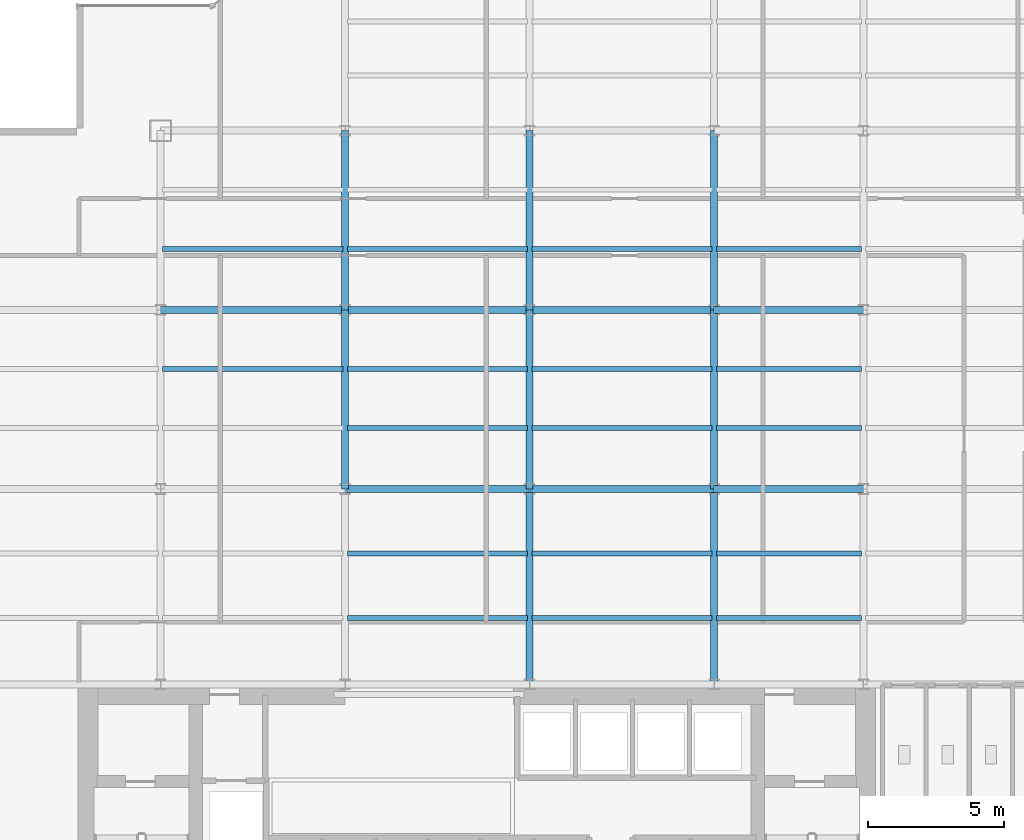
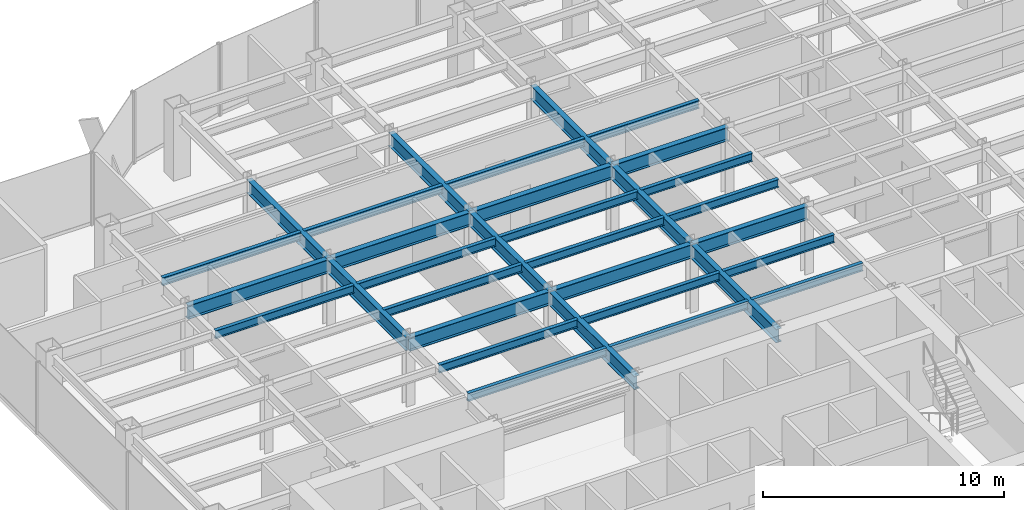
# One storey, part 7 of 26: 32 beams.
"""IFC4 building model written with IfcOpenShell, lengths in metres."""

from ifc_helpers import new_model, si_unit, derived_unit, direction, frame, origin, origin_2d, place, context, subcontext, project, spatial, i_section, extrude, source, transform, mapped, material, material_profile, profile_set, type_object, element, save


model = new_model("IFC4")

# Units and contexts
model_context = context("Model", 3, precision=1e-05, world=origin(), true_north=direction((0.0, 1.0)))
body_context = subcontext(model_context, "Body", "Model", "MODEL_VIEW")
ifc_project = project(units=[si_unit("LENGTHUNIT", "METRE"), si_unit("AREAUNIT", "SQUARE_METRE"), si_unit("VOLUMEUNIT", "CUBIC_METRE"), si_unit("PLANEANGLEUNIT", "RADIAN"), si_unit("MASSUNIT", "GRAM", prefix="KILO"), derived_unit("THERMALTRANSMITTANCEUNIT", [(si_unit("POWERUNIT", "WATT"), 1), (si_unit("LENGTHUNIT", "METRE"), -2), (si_unit("THERMODYNAMICTEMPERATUREUNIT", "KELVIN"), -1)])], contexts=[model_context])

# Site, building, storey
site_placement = place(None, origin())
site = spatial("IfcSite", under=ifc_project, at=site_placement, CompositionType="ELEMENT")
building_placement = place(site_placement, origin())
building = spatial("IfcBuilding", under=site, at=building_placement, Name="Skarnbrae Concourse Arena and Tower", CompositionType="ELEMENT")
storey_placement = place(building_placement, frame((0.0, 0.0, 103.25)))
storey = spatial("IfcBuildingStorey", under=building, at=storey_placement, Name="L25", CompositionType="ELEMENT", Elevation=103.25)

# Beams
ifc_material = material(Name="Steel CSA G40.21 350W", Category="steel")
ifc_material_profile_1 = material_profile(ifc_material, i_section(OverallWidth=0.256103515625, OverallDepth=0.693115234375, WebThickness=0.014404296875, FlangeThickness=0.023681640625, at=origin_2d()), Name="W690X170")
ifc_profile_set_1 = profile_set([ifc_material_profile_1], Name="Steel CSA G40.21 350W")
beam_type_1 = type_object("IfcBeamType", Name="BM-GIRD-W690X170", PredefinedType="BEAM", material=ifc_profile_set_1)
shared_shape_1 = source(origin(), body_context, "Body", "SweptSolid", [
    extrude(i_section(OverallWidth=0.256103515625, OverallDepth=0.693115234375, WebThickness=0.014404296875, FlangeThickness=0.023681640625, at=origin_2d()), origin(), (0.0, 0.0, 1.0), 6.60009765625),
])
for number, where, z_axis, x_axis, name in (
    (1, (14.39990234375, 21.199951171875, 3.053466796875), (0.0, 1.0, 0.0), (-1.0, 0.0, 0.0), "L25 Primary N-S girder X14.4-2"),
    (2, (21.199951171875, 21.199951171875, 3.053466796875), (0.0, 1.0, 0.0), (-1.0, 0.0, 0.0), "L25 Primary N-S girder X21.2-2"),
    (3, (28.0, 21.199951171875, 3.053466796875), (0.0, 1.0, 0.0), (-1.0, 0.0, 0.0), "L25 Primary N-S girder X28.0-2"),
):
    element("IfcBeam", number, at=place(storey_placement, frame(where, z_axis=z_axis, x_axis=x_axis)), inside=storey, type_object=beam_type_1, Name=name, PredefinedType="BEAM", context=body_context, shape_type="MappedRepresentation", body=[
        mapped(shared_shape_1, transform((0.0, 0.0, 0.0))),
    ])
shared_shape_2 = source(origin(), body_context, "Body", "SweptSolid", [
    extrude(i_section(OverallWidth=0.256103515625, OverallDepth=0.693115234375, WebThickness=0.014404296875, FlangeThickness=0.023681640625, at=origin_2d()), origin(), (0.0, 0.0, 1.0), 6.7998046875),
])
beam_placement = place(storey_placement, frame((7.60009765625, 27.800048828125, 3.053466796875), z_axis=(1.0, 0.0, 0.0), x_axis=(0.0, 1.0, 0.0)))
element("IfcBeam", 4, at=beam_placement, inside=storey, type_object=beam_type_1, Name="L25 Primary E-W girder Y27.8-2", PredefinedType="BEAM", context=body_context, shape_type="MappedRepresentation", body=[
    mapped(shared_shape_2, transform((0.0, 0.0, 0.0))),
])
shared_shape_3 = source(origin(), body_context, "Body", "SweptSolid", [
    extrude(i_section(OverallWidth=0.256103515625, OverallDepth=0.693115234375, WebThickness=0.014404296875, FlangeThickness=0.023681640625, at=origin_2d()), origin(), (0.0, 0.0, 1.0), 6.800048828125),
])
for number, where, z_axis, x_axis, name in (
    (5, (14.39990234375, 21.199951171875, 3.053466796875), (1.0, 0.0, 0.0), (0.0, 1.0, 0.0), "L25 Primary E-W girder Y21.2-3"),
    (6, (21.199951171875, 21.199951171875, 3.053466796875), (1.0, 0.0, 0.0), (0.0, 1.0, 0.0), "L25 Primary E-W girder Y21.2-4"),
    (7, (14.39990234375, 27.800048828125, 3.053466796875), (1.0, 0.0, 0.0), (0.0, 1.0, 0.0), "L25 Primary E-W girder Y27.8-3"),
    (8, (21.199951171875, 27.800048828125, 3.053466796875), (1.0, 0.0, 0.0), (0.0, 1.0, 0.0), "L25 Primary E-W girder Y27.8-4"),
):
    element("IfcBeam", number, at=place(storey_placement, frame(where, z_axis=z_axis, x_axis=x_axis)), inside=storey, type_object=beam_type_1, Name=name, PredefinedType="BEAM", context=body_context, shape_type="MappedRepresentation", body=[
        mapped(shared_shape_3, transform((0.0, 0.0, 0.0))),
    ])
shared_shape_4 = source(origin(), body_context, "Body", "SweptSolid", [
    extrude(i_section(OverallWidth=0.256103515625, OverallDepth=0.693115234375, WebThickness=0.014404296875, FlangeThickness=0.023681640625, at=origin_2d()), origin(), (0.0, 0.0, 1.0), 5.5),
])
for number, where, z_axis, x_axis, name in (
    (9, (28.0, 21.199951171875, 3.053466796875), (1.0, 0.0, 0.0), (0.0, 1.0, 0.0), "L25 Primary E-W girder Y21.2-5"),
    (10, (28.0, 27.800048828125, 3.053466796875), (1.0, 0.0, 0.0), (0.0, 1.0, 0.0), "L25 Primary E-W girder Y27.8-5"),
):
    element("IfcBeam", number, at=place(storey_placement, frame(where, z_axis=z_axis, x_axis=x_axis)), inside=storey, type_object=beam_type_1, Name=name, PredefinedType="BEAM", context=body_context, shape_type="MappedRepresentation", body=[
        mapped(shared_shape_4, transform((0.0, 0.0, 0.0))),
    ])
shared_shape_5 = source(origin(), body_context, "Body", "SweptSolid", [
    extrude(i_section(OverallWidth=0.256103515625, OverallDepth=0.693115234375, WebThickness=0.014404296875, FlangeThickness=0.023681640625, at=origin_2d()), origin(), (0.0, 0.0, 1.0), 7.199951171875),
])
for number, where, z_axis, x_axis, name in (
    (11, (21.199951171875, 14.0, 3.053466796875), (0.0, 1.0, 0.0), (-1.0, 0.0, 0.0), "L25 Primary N-S girder X21.2-1"),
    (12, (28.0, 14.0, 3.053466796875), (0.0, 1.0, 0.0), (-1.0, 0.0, 0.0), "L25 Primary N-S girder X28.0-1"),
):
    element("IfcBeam", number, at=place(storey_placement, frame(where, z_axis=z_axis, x_axis=x_axis)), inside=storey, type_object=beam_type_1, Name=name, PredefinedType="BEAM", context=body_context, shape_type="MappedRepresentation", body=[
        mapped(shared_shape_5, transform((0.0, 0.0, 0.0))),
    ])
shared_shape_6 = source(origin(), body_context, "Body", "SweptSolid", [
    extrude(i_section(OverallWidth=0.256103515625, OverallDepth=0.693115234375, WebThickness=0.014404296875, FlangeThickness=0.023681640625, at=origin_2d()), origin(), (0.0, 0.0, 1.0), 6.599853515625),
])
for number, where, z_axis, x_axis, name in (
    (13, (14.39990234375, 27.800048828125, 3.053466796875), (0.0, 1.0, 0.0), (-1.0, 0.0, 0.0), "L25 Primary N-S girder X14.4-3"),
    (14, (21.199951171875, 27.800048828125, 3.053466796875), (0.0, 1.0, 0.0), (-1.0, 0.0, 0.0), "L25 Primary N-S girder X21.2-3"),
    (15, (28.0, 27.800048828125, 3.053466796875), (0.0, 1.0, 0.0), (-1.0, 0.0, 0.0), "L25 Primary N-S girder X28.0-3"),
):
    element("IfcBeam", number, at=place(storey_placement, frame(where, z_axis=z_axis, x_axis=x_axis)), inside=storey, type_object=beam_type_1, Name=name, PredefinedType="BEAM", context=body_context, shape_type="MappedRepresentation", body=[
        mapped(shared_shape_6, transform((0.0, 0.0, 0.0))),
    ])
ifc_material_profile_2 = material_profile(ifc_material, i_section(OverallWidth=0.177978515625, OverallDepth=0.406982421875, WebThickness=0.0078125, FlangeThickness=0.0126953125, at=origin_2d()), Name="W410X60")
ifc_profile_set_2 = profile_set([ifc_material_profile_2], Name="Steel CSA G40.21 350W")
beam_type_2 = type_object("IfcBeamType", Name="BM-JOIST-W410X60", PredefinedType="JOIST", material=ifc_profile_set_2)
shared_shape_7 = source(origin(), body_context, "Body", "SweptSolid", [
    extrude(i_section(OverallWidth=0.177978515625, OverallDepth=0.406982421875, WebThickness=0.0078125, FlangeThickness=0.0126953125, at=origin_2d()), origin(), (0.0, 0.0, 1.0), 6.64013671875),
])
for number, where, z_axis, x_axis, name in (
    (16, (14.47998046875, 16.447998046875, 3.196533203125), (1.0, 0.0, 0.0), (0.0, 1.0, 0.0), "L25 Secondary floor joist 1.1.3"),
    (17, (14.47998046875, 18.823974609375, 3.196533203125), (1.0, 0.0, 0.0), (0.0, 1.0, 0.0), "L25 Secondary floor joist 1.2.3"),
    (18, (14.47998046875, 23.444091796875, 3.196533203125), (1.0, 0.0, 0.0), (0.0, 1.0, 0.0), "L25 Secondary floor joist 2.1.3"),
    (19, (7.679931640625, 25.6220703125, 3.196533203125), (1.0, 0.0, 0.0), (0.0, 1.0, 0.0), "L25 Secondary floor joist 2.2.2"),
    (20, (14.47998046875, 25.6220703125, 3.196533203125), (1.0, 0.0, 0.0), (0.0, 1.0, 0.0), "L25 Secondary floor joist 2.2.3"),
    (21, (7.679931640625, 30.0439453125, 3.196533203125), (1.0, 0.0, 0.0), (0.0, 1.0, 0.0), "L25 Secondary floor joist 3.1.1"),
    (22, (14.47998046875, 30.0439453125, 3.196533203125), (1.0, 0.0, 0.0), (0.0, 1.0, 0.0), "L25 Secondary floor joist 3.1.2"),
):
    element("IfcBeam", number, at=place(storey_placement, frame(where, z_axis=z_axis, x_axis=x_axis)), inside=storey, type_object=beam_type_2, Name=name, PredefinedType="JOIST", context=body_context, shape_type="MappedRepresentation", body=[
        mapped(shared_shape_7, transform((0.0, 0.0, 0.0))),
    ])
shared_shape_8 = source(origin(), body_context, "Body", "SweptSolid", [
    extrude(i_section(OverallWidth=0.177978515625, OverallDepth=0.406982421875, WebThickness=0.0078125, FlangeThickness=0.0126953125, at=origin_2d()), origin(), (0.0, 0.0, 1.0), 6.639892578125),
])
for number, where, z_axis, x_axis, name in (
    (23, (21.280029296875, 16.447998046875, 3.196533203125), (1.0, 0.0, 0.0), (0.0, 1.0, 0.0), "L25 Secondary floor joist 1.1.4"),
    (24, (21.280029296875, 18.823974609375, 3.196533203125), (1.0, 0.0, 0.0), (0.0, 1.0, 0.0), "L25 Secondary floor joist 1.2.4"),
    (25, (21.280029296875, 23.444091796875, 3.196533203125), (1.0, 0.0, 0.0), (0.0, 1.0, 0.0), "L25 Secondary floor joist 2.1.4"),
    (26, (21.280029296875, 25.6220703125, 3.196533203125), (1.0, 0.0, 0.0), (0.0, 1.0, 0.0), "L25 Secondary floor joist 2.2.4"),
    (27, (21.280029296875, 30.0439453125, 3.196533203125), (1.0, 0.0, 0.0), (0.0, 1.0, 0.0), "L25 Secondary floor joist 3.1.3"),
):
    element("IfcBeam", number, at=place(storey_placement, frame(where, z_axis=z_axis, x_axis=x_axis)), inside=storey, type_object=beam_type_2, Name=name, PredefinedType="JOIST", context=body_context, shape_type="MappedRepresentation", body=[
        mapped(shared_shape_8, transform((0.0, 0.0, 0.0))),
    ])
shared_shape_9 = source(origin(), body_context, "Body", "SweptSolid", [
    extrude(i_section(OverallWidth=0.177978515625, OverallDepth=0.406982421875, WebThickness=0.0078125, FlangeThickness=0.0126953125, at=origin_2d()), origin(), (0.0, 0.0, 1.0), 5.33984375),
])
for number, where, z_axis, x_axis, name in (
    (28, (28.080078125, 16.447998046875, 3.196533203125), (1.0, 0.0, 0.0), (0.0, 1.0, 0.0), "L25 Secondary floor joist 1.1.5"),
    (29, (28.080078125, 18.823974609375, 3.196533203125), (1.0, 0.0, 0.0), (0.0, 1.0, 0.0), "L25 Secondary floor joist 1.2.5"),
    (30, (28.080078125, 23.444091796875, 3.196533203125), (1.0, 0.0, 0.0), (0.0, 1.0, 0.0), "L25 Secondary floor joist 2.1.5"),
    (31, (28.080078125, 25.6220703125, 3.196533203125), (1.0, 0.0, 0.0), (0.0, 1.0, 0.0), "L25 Secondary floor joist 2.2.5"),
    (32, (28.080078125, 30.0439453125, 3.196533203125), (1.0, 0.0, 0.0), (0.0, 1.0, 0.0), "L25 Secondary floor joist 3.1.4"),
):
    element("IfcBeam", number, at=place(storey_placement, frame(where, z_axis=z_axis, x_axis=x_axis)), inside=storey, type_object=beam_type_2, Name=name, PredefinedType="JOIST", context=body_context, shape_type="MappedRepresentation", body=[
        mapped(shared_shape_9, transform((0.0, 0.0, 0.0))),
    ])

save(model, "model.ifc")
